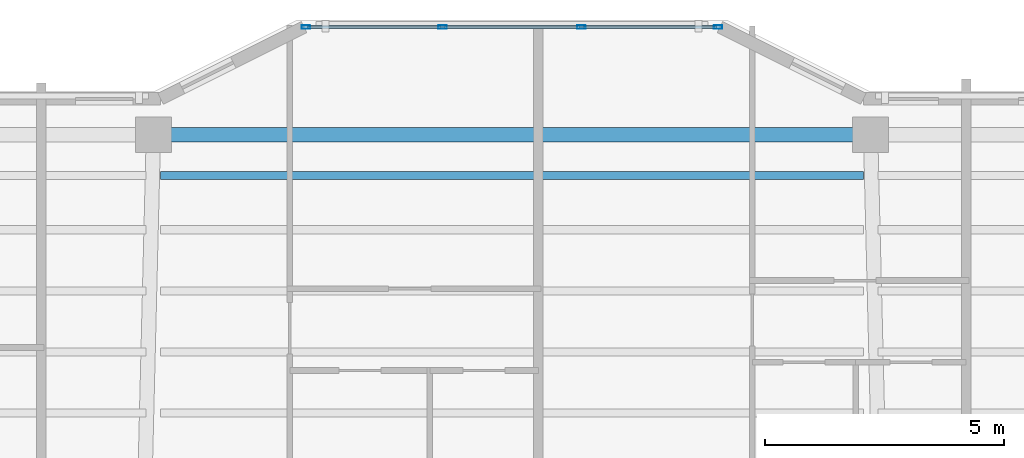
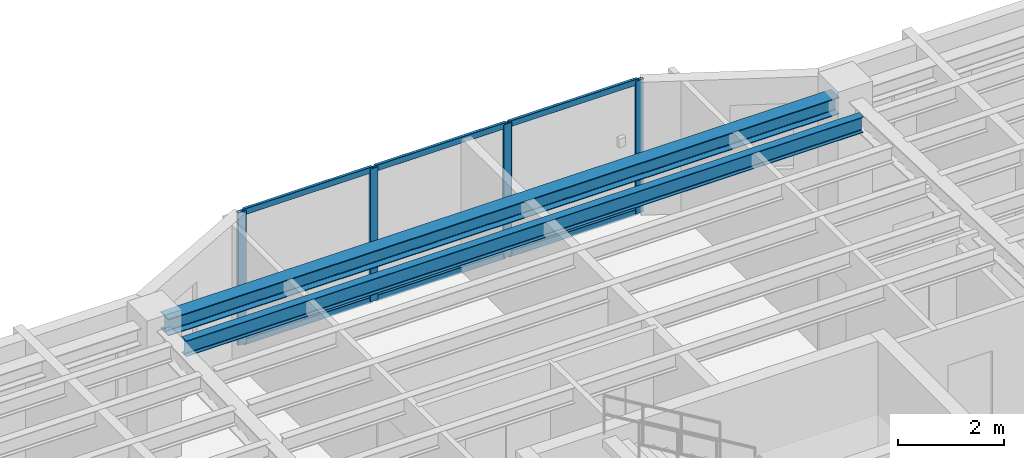
# One storey, part 3 of 13: 10 members, 2 beams, 1 element without a shape of its own.
"""IFC4 building model written with IfcOpenShell, lengths in metres."""

from ifc_helpers import new_model, si_unit, direction, frame, origin, origin_2d, place, context, subcontext, project, spatial, hollow_rectangle, i_section, extrude, material, layer, layer_set, material_profile, profile_set, type_object, element, aggregate, save


model = new_model("IFC4")

# Units and contexts
model_context = context("Model", 3, precision=1e-05, world=origin(), true_north=direction((0.0, 1.0)))
body_context = subcontext(model_context, "Body", "Model", "MODEL_VIEW")
ifc_project = project(units=[si_unit("LENGTHUNIT", "METRE"), si_unit("AREAUNIT", "SQUARE_METRE"), si_unit("VOLUMEUNIT", "CUBIC_METRE"), si_unit("PLANEANGLEUNIT", "RADIAN"), si_unit("MASSUNIT", "GRAM", prefix="KILO")], contexts=[model_context])

# Site, building, storey
site_placement = place(None, origin())
site = spatial("IfcSite", under=ifc_project, at=site_placement, CompositionType="ELEMENT")
building_placement = place(site_placement, origin())
building = spatial("IfcBuilding", under=site, at=building_placement, Name="Tarnavaz Court Tower", CompositionType="ELEMENT")
storey_placement = place(building_placement, frame((0.0, 0.0, 223.75)))
storey = spatial("IfcBuildingStorey", under=building, at=storey_placement, Name="L61", CompositionType="ELEMENT", Elevation=223.75)

# Beams
ifc_material_1 = material(Name="Steel S355", Category="steel")
ifc_material_profile_1 = material_profile(ifc_material_1, i_section(OverallWidth=0.169921875, OverallDepth=0.360107421875, WebThickness=0.008056640625, FlangeThickness=0.0126953125, FilletRadius=0.01806640625, at=origin_2d()), Name="IPE 360")
ifc_profile_set_1 = profile_set([ifc_material_profile_1], Name="Steel S355")
beam_type_1 = type_object("IfcBeamType", Name="BM-J-IPE360", PredefinedType="JOIST", material=ifc_profile_set_1)
beam_1_placement = place(storey_placement, frame((-7.35009765625, 19.248046875, 2.8701171875), z_axis=(1.0, 0.0, 0.0), x_axis=(0.0, 1.0, 0.0)))
element("IfcBeam", 1, at=beam_1_placement, inside=storey, type_object=beam_type_1, Name="L61 Beam JN5-2", PredefinedType="JOIST", context=body_context, shape_type="SweptSolid", body=[
    extrude(i_section(OverallWidth=0.169921875, OverallDepth=0.360107421875, WebThickness=0.008056640625, FlangeThickness=0.0126953125, FilletRadius=0.01806640625, at=origin_2d()), origin(), (0.0, 0.0, 1.0), 14.7001953125),
])
ifc_material_profile_2 = material_profile(ifc_material_1, i_section(OverallWidth=0.300048828125, OverallDepth=0.389892578125, WebThickness=0.010986328125, FlangeThickness=0.01904296875, FilletRadius=0.027099609375, at=origin_2d()), Name="HEA 400")
ifc_profile_set_2 = profile_set([ifc_material_profile_2], Name="Steel S355")
beam_type_2 = type_object("IfcBeamType", Name="BM-SP-HEA400", PredefinedType="BEAM", material=ifc_profile_set_2)
beam_2_placement = place(storey_placement, frame((-7.280029296875, 20.10009765625, 2.85498046875), z_axis=(1.0, 0.0, 0.0), x_axis=(0.0, 1.0, 0.0)))
element("IfcBeam", 2, at=beam_2_placement, inside=storey, type_object=beam_type_2, Name="L61 Beam PR-PN-2-PN-3", PredefinedType="BEAM", context=body_context, shape_type="SweptSolid", body=[
    extrude(i_section(OverallWidth=0.300048828125, OverallDepth=0.389892578125, WebThickness=0.010986328125, FlangeThickness=0.01904296875, FilletRadius=0.027099609375, at=origin_2d()), origin(), (0.0, 0.0, 1.0), 14.56005859375),
])

# Curtain wall, members
ifc_material_2 = material(Name="Anodised Aluminium 6063-T6 and Solar Low-E Glazing", Category="aluminium")
ifc_layer = layer(ifc_material_2, 0.159912109375)
ifc_layer_set = layer_set([ifc_layer], Name="Anodised Aluminium 6063-T6 and Solar Low-E Glazing")
curtain_wall_type = type_object("IfcCurtainWallType", Name="CW-SYS-03", PredefinedType="NOTDEFINED", material=ifc_layer_set)
curtain_wall_placement = place(storey_placement, origin())
curtain_wall = element("IfcCurtainWall", 3, at=curtain_wall_placement, inside=storey, type_object=curtain_wall_type, Name="L61 Iwan Prow Curtain Wall 7", PredefinedType="NOTDEFINED")
ifc_material_3 = material(Name="Anodised Aluminium 6063-T6", Category="aluminium")
ifc_material_profile_3 = material_profile(ifc_material_3, hollow_rectangle(XDim=0.074951171875, YDim=0.179931640625, WallThickness=0.0048828125, InnerFilletRadius=0.0048828125, OuterFilletRadius=0.010009765625, at=origin_2d()), Name="ALU RHS 180X75X5")
ifc_profile_set_3 = profile_set([ifc_material_profile_3], Name="Anodised Aluminium 6063-T6")
member_type_1 = type_object("IfcMemberType", Name="CW-MUL-180", PredefinedType="MULLION", material=ifc_profile_set_3)
member_1_placement = place(storey_placement, frame((-4.3125, 22.35009765625, 0.0), z_axis=(0.0, 0.0, 1.0), x_axis=(0.0, 1.0, 0.0)))
member_1 = element("IfcMember", 4, at=member_1_placement, type_object=member_type_1, Name="CW mullion 1", PredefinedType="MULLION", context=body_context, shape_type="SweptSolid", body=[
    extrude(hollow_rectangle(XDim=0.074951171875, YDim=0.179931640625, WallThickness=0.0048828125, InnerFilletRadius=0.0048828125, OuterFilletRadius=0.010009765625, at=origin_2d()), origin(), (0.0, 0.0, 1.0), 3.050048828125),
])
member_2_placement = place(storey_placement, frame((-1.449951171875, 22.35009765625, 0.0), z_axis=(0.0, 0.0, 1.0), x_axis=(0.0, 1.0, 0.0)))
member_2 = element("IfcMember", 5, at=member_2_placement, type_object=member_type_1, Name="CW mullion 2", PredefinedType="MULLION", context=body_context, shape_type="SweptSolid", body=[
    extrude(hollow_rectangle(XDim=0.074951171875, YDim=0.179931640625, WallThickness=0.0048828125, InnerFilletRadius=0.0048828125, OuterFilletRadius=0.010009765625, at=origin_2d()), origin(), (0.0, 0.0, 1.0), 3.050048828125),
])
member_3_placement = place(storey_placement, frame((1.449951171875, 22.35009765625, 0.0), z_axis=(0.0, 0.0, 1.0), x_axis=(0.0, 1.0, 0.0)))
member_3 = element("IfcMember", 6, at=member_3_placement, type_object=member_type_1, Name="CW mullion 3", PredefinedType="MULLION", context=body_context, shape_type="SweptSolid", body=[
    extrude(hollow_rectangle(XDim=0.074951171875, YDim=0.179931640625, WallThickness=0.0048828125, InnerFilletRadius=0.0048828125, OuterFilletRadius=0.010009765625, at=origin_2d()), origin(), (0.0, 0.0, 1.0), 3.050048828125),
])
member_4_placement = place(storey_placement, frame((4.3125, 22.35009765625, 0.0), z_axis=(0.0, 0.0, 1.0), x_axis=(0.0, 1.0, 0.0)))
member_4 = element("IfcMember", 7, at=member_4_placement, type_object=member_type_1, Name="CW mullion 4", PredefinedType="MULLION", context=body_context, shape_type="SweptSolid", body=[
    extrude(hollow_rectangle(XDim=0.074951171875, YDim=0.179931640625, WallThickness=0.0048828125, InnerFilletRadius=0.0048828125, OuterFilletRadius=0.010009765625, at=origin_2d()), origin(), (0.0, 0.0, 1.0), 3.050048828125),
])
ifc_material_profile_4 = material_profile(ifc_material_3, hollow_rectangle(XDim=0.06494140625, YDim=0.139892578125, WallThickness=0.00390625, InnerFilletRadius=0.00390625, OuterFilletRadius=0.008056640625, at=origin_2d()), Name="ALU RHS 140X65X4")
ifc_profile_set_4 = profile_set([ifc_material_profile_4], Name="Anodised Aluminium 6063-T6")
member_type_2 = type_object("IfcMemberType", Name="CW-TRN-140", PredefinedType="USERDEFINED", material=ifc_profile_set_4)
member_5_placement = place(storey_placement, frame((-4.27490234375, 22.35009765625, 0.032470703125), z_axis=(1.0, 0.0, 0.0), x_axis=(0.0, 1.0, 0.0)))
member_5 = element("IfcMember", 8, at=member_5_placement, type_object=member_type_2, Name="CW transom 1.1", ObjectType="TRANSOM", PredefinedType="USERDEFINED", context=body_context, shape_type="SweptSolid", body=[
    extrude(hollow_rectangle(XDim=0.06494140625, YDim=0.139892578125, WallThickness=0.00390625, InnerFilletRadius=0.00390625, OuterFilletRadius=0.008056640625, at=origin_2d()), origin(), (0.0, 0.0, 1.0), 2.787353515625),
])
member_6_placement = place(storey_placement, frame((-4.27490234375, 22.35009765625, 3.017578125), z_axis=(1.0, 0.0, 0.0), x_axis=(0.0, 1.0, 0.0)))
member_6 = element("IfcMember", 9, at=member_6_placement, type_object=member_type_2, Name="CW transom 1.2", ObjectType="TRANSOM", PredefinedType="USERDEFINED", context=body_context, shape_type="SweptSolid", body=[
    extrude(hollow_rectangle(XDim=0.06494140625, YDim=0.139892578125, WallThickness=0.00390625, InnerFilletRadius=0.00390625, OuterFilletRadius=0.008056640625, at=origin_2d()), origin(), (0.0, 0.0, 1.0), 2.787353515625),
])
member_7_placement = place(storey_placement, frame((-1.41259765625, 22.35009765625, 0.032470703125), z_axis=(1.0, 0.0, 0.0), x_axis=(0.0, 1.0, 0.0)))
member_7 = element("IfcMember", 10, at=member_7_placement, type_object=member_type_2, Name="CW transom 2.1", ObjectType="TRANSOM", PredefinedType="USERDEFINED", context=body_context, shape_type="SweptSolid", body=[
    extrude(hollow_rectangle(XDim=0.06494140625, YDim=0.139892578125, WallThickness=0.00390625, InnerFilletRadius=0.00390625, OuterFilletRadius=0.008056640625, at=origin_2d()), origin(), (0.0, 0.0, 1.0), 2.8251953125),
])
member_8_placement = place(storey_placement, frame((-1.41259765625, 22.35009765625, 3.017578125), z_axis=(1.0, 0.0, 0.0), x_axis=(0.0, 1.0, 0.0)))
member_8 = element("IfcMember", 11, at=member_8_placement, type_object=member_type_2, Name="CW transom 2.2", ObjectType="TRANSOM", PredefinedType="USERDEFINED", context=body_context, shape_type="SweptSolid", body=[
    extrude(hollow_rectangle(XDim=0.06494140625, YDim=0.139892578125, WallThickness=0.00390625, InnerFilletRadius=0.00390625, OuterFilletRadius=0.008056640625, at=origin_2d()), origin(), (0.0, 0.0, 1.0), 2.8251953125),
])
member_9_placement = place(storey_placement, frame((1.487548828125, 22.35009765625, 0.032470703125), z_axis=(1.0, 0.0, 0.0), x_axis=(0.0, 1.0, 0.0)))
member_9 = element("IfcMember", 12, at=member_9_placement, type_object=member_type_2, Name="CW transom 3.1", ObjectType="TRANSOM", PredefinedType="USERDEFINED", context=body_context, shape_type="SweptSolid", body=[
    extrude(hollow_rectangle(XDim=0.06494140625, YDim=0.139892578125, WallThickness=0.00390625, InnerFilletRadius=0.00390625, OuterFilletRadius=0.008056640625, at=origin_2d()), origin(), (0.0, 0.0, 1.0), 2.787353515625),
])
member_10_placement = place(storey_placement, frame((1.487548828125, 22.35009765625, 3.017578125), z_axis=(1.0, 0.0, 0.0), x_axis=(0.0, 1.0, 0.0)))
member_10 = element("IfcMember", 13, at=member_10_placement, type_object=member_type_2, Name="CW transom 3.2", ObjectType="TRANSOM", PredefinedType="USERDEFINED", context=body_context, shape_type="SweptSolid", body=[
    extrude(hollow_rectangle(XDim=0.06494140625, YDim=0.139892578125, WallThickness=0.00390625, InnerFilletRadius=0.00390625, OuterFilletRadius=0.008056640625, at=origin_2d()), origin(), (0.0, 0.0, 1.0), 2.787353515625),
])
aggregate(curtain_wall, [member_1, member_2, member_3, member_4, member_5, member_6, member_7, member_8, member_9, member_10])

save(model, "model.ifc")
